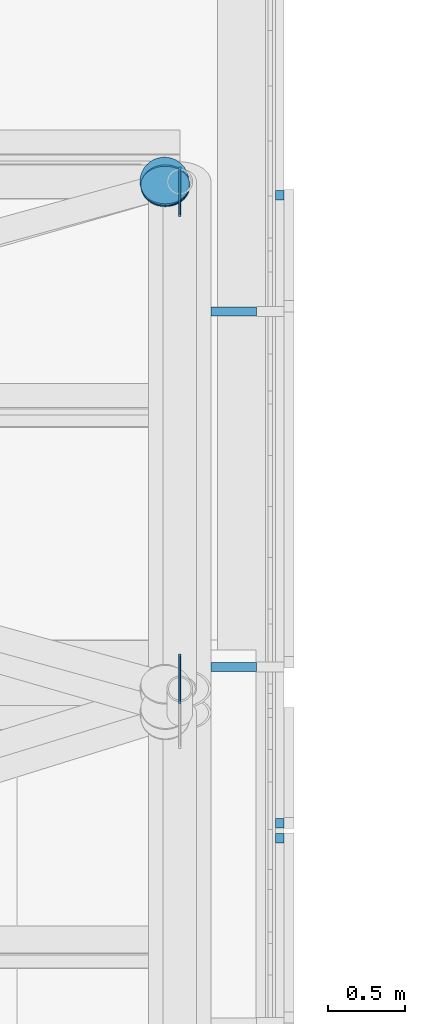
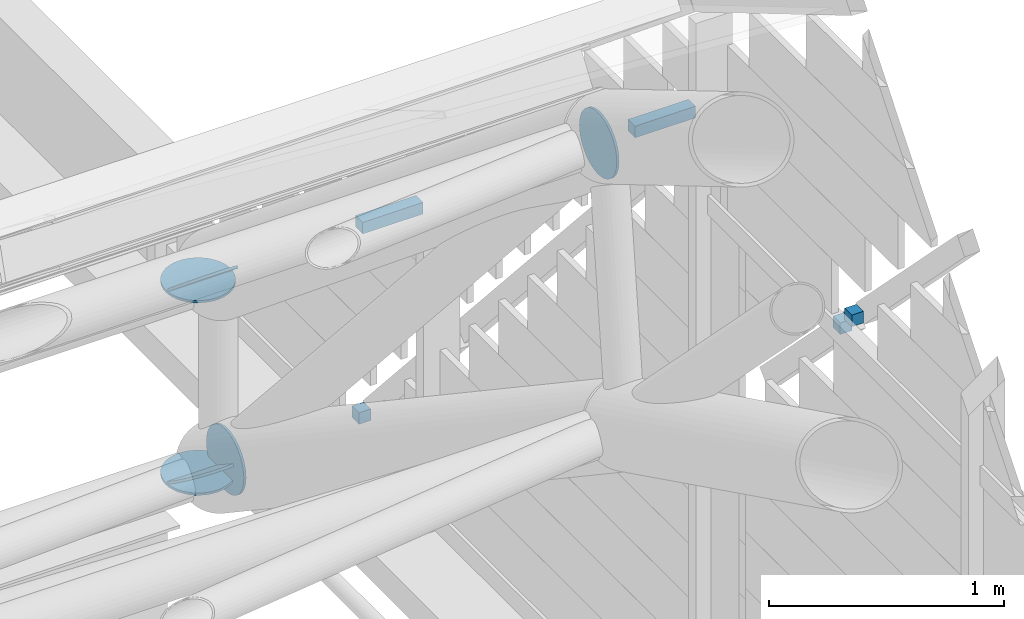
# One storey, part 102 of 110: 11 discrete accessories, 1 element without a shape of its own.
"""IFC4 building model written with IfcOpenShell, lengths in metres."""

from ifc_helpers import new_model, si_unit, direction, frame, origin, origin_2d, place, context, subcontext, project, spatial, rectangle, circle, extrude, material, layer, layer_set, type_object, element, aggregate, save


model = new_model("IFC4")

# Units and contexts
model_context = context("Model", 3, precision=1e-05, world=origin(), true_north=direction((0.0, 1.0)))
body_context = subcontext(model_context, "Body", "Model", "MODEL_VIEW")
ifc_project = project(units=[si_unit("LENGTHUNIT", "METRE"), si_unit("AREAUNIT", "SQUARE_METRE"), si_unit("VOLUMEUNIT", "CUBIC_METRE"), si_unit("PLANEANGLEUNIT", "RADIAN"), si_unit("MASSUNIT", "GRAM", prefix="KILO")], contexts=[model_context])

# Site, building, storey
site_placement = place(None, origin())
site = spatial("IfcSite", under=ifc_project, at=site_placement, CompositionType="ELEMENT")
building_placement = place(site_placement, origin())
building = spatial("IfcBuilding", under=site, at=building_placement, Name="Windward Yard Aquatics Centre", CompositionType="ELEMENT")
storey_placement = place(building_placement, frame((0.0, 0.0, 22.60009765625)))
storey = spatial("IfcBuildingStorey", under=building, at=storey_placement, Name="L05", CompositionType="ELEMENT", Elevation=22.60009765625)

# Discrete accessories
ifc_material_1 = material(Name="Steel S355", Category="steel")
ifc_layer_1 = layer(ifc_material_1, 0.011962890625)
ifc_layer_set_1 = layer_set([ifc_layer_1], Name="Gusset plate 320 mm disc 12 mm")
discrete_accessory_type = type_object("IfcDiscreteAccessoryType", Name="Gusset plate 320 mm disc 12 mm", PredefinedType="USERDEFINED", material=ifc_layer_set_1)
for number, where, z_axis, x_axis, name in (
    (1, (143.993896484375, 77.158935546875, 3.64306640625), (1.0, 0.0, 0.0), (0.0, 1.0, 0.0), "Gusset plate"),
    (2, (143.993896484375, 80.33349609375, 0.07470703125), (1.0, 0.0, 0.0), (0.0, 1.0, 0.0), "Gusset plate"),
):
    element("IfcDiscreteAccessory", number, at=place(storey_placement, frame(where, z_axis=z_axis, x_axis=x_axis)), inside=storey, type_object=discrete_accessory_type, Name=name, ObjectType="GUSSET PLATE", PredefinedType="USERDEFINED", context=body_context, shape_type="SweptSolid", body=[
        extrude(circle(Radius=0.159912109375, at=origin_2d()), origin(), (0.0, 0.0, 1.0), 0.01220703125),
    ])
discrete_accessory_1_placement = place(storey_placement, frame((143.89990234375, 80.39990234375, 0.993896484375), z_axis=(0.0, 0.0, 1.0), x_axis=(1.0, 0.0, 0.0)))
element("IfcDiscreteAccessory", 3, at=discrete_accessory_1_placement, inside=storey, type_object=discrete_accessory_type, Name="Gusset plate", ObjectType="GUSSET PLATE", PredefinedType="USERDEFINED", context=body_context, shape_type="SweptSolid", body=[
    extrude(circle(Radius=0.159912109375, at=origin_2d()), origin(), (0.0, 0.0, 1.0), 0.011962890625),
])
discrete_accessory_2_placement = place(storey_placement, frame((143.90576171875, 80.3779296875, 1.02587890625), z_axis=(0.0, -0.644135745783, -0.764911198117), x_axis=(1.0, 0.0, 0.0)))
element("IfcDiscreteAccessory", 4, at=discrete_accessory_2_placement, inside=storey, type_object=discrete_accessory_type, Name="Gusset plate", ObjectType="GUSSET PLATE", PredefinedType="USERDEFINED", context=body_context, shape_type="SweptSolid", body=[
    extrude(circle(Radius=0.159912109375, at=origin_2d()), origin(), (0.0, 0.0, 1.0), 0.01220703125),
])
for number, where, z_axis, x_axis, name in (
    (5, (143.89990234375, 80.39990234375, -0.006103515625), (0.0, 0.0, 1.0), (1.0, 0.0, 0.0), "Gusset plate"),
    (6, (143.905517578125, 80.3759765625, 0.023193359375), (0.0, -0.549990569516, -0.83517086482), (1.0, 0.0, 0.0), "Gusset plate"),
):
    element("IfcDiscreteAccessory", number, at=place(storey_placement, frame(where, z_axis=z_axis, x_axis=x_axis)), inside=storey, type_object=discrete_accessory_type, Name=name, ObjectType="GUSSET PLATE", PredefinedType="USERDEFINED", context=body_context, shape_type="SweptSolid", body=[
        extrude(circle(Radius=0.159912109375, at=origin_2d()), origin(), (0.0, 0.0, 1.0), 0.011962890625),
    ])

# Curtain wall, discrete accessories
ifc_material_2 = material(Name="Glass and aluminium curtain wall", Category="aluminium")
ifc_layer_2 = layer(ifc_material_2, 0.179931640625)
ifc_layer_set_2 = layer_set([ifc_layer_2], Name="H gable glazing system double glazed 8+16+8")
curtain_wall_type = type_object("IfcCurtainWallType", Name="H gable glazing system double glazed 8+16+8", PredefinedType="NOTDEFINED", material=ifc_layer_set_2)
curtain_wall_placement = place(storey_placement, origin())
curtain_wall = element("IfcCurtainWall", 7, at=curtain_wall_placement, inside=storey, type_object=curtain_wall_type, Name="Gable glazing E", PredefinedType="NOTDEFINED")
discrete_accessory_3_placement = place(storey_placement, frame((144.62255859375, 76.117919921875, 3.14990234375), z_axis=(1.0, 0.0, 0.0), x_axis=(0.0, 1.0, 0.0)))
discrete_accessory_3 = element("IfcDiscreteAccessory", 8, at=discrete_accessory_3_placement, Name="Gable cover strip bracket 9.2", PredefinedType="BRACKET", context=body_context, shape_type="SweptSolid", body=[
    extrude(rectangle(XDim=0.06005859375, YDim=0.06005859375, at=origin_2d()), origin(), (0.0, 0.0, 1.0), 0.057373046875),
])
discrete_accessory_4_placement = place(storey_placement, frame((144.62255859375, 76.21630859375, 3.0498046875), z_axis=(1.0, 0.0, 0.0), x_axis=(0.0, 1.0, 0.0)))
discrete_accessory_4 = element("IfcDiscreteAccessory", 9, at=discrete_accessory_4_placement, Name="Gable cover strip bracket 9.3", PredefinedType="BRACKET", context=body_context, shape_type="SweptSolid", body=[
    extrude(rectangle(XDim=0.06005859375, YDim=0.06005859375, at=origin_2d()), origin(), (0.0, 0.0, 1.0), 0.057373046875),
])
discrete_accessory_5_placement = place(storey_placement, frame((144.62255859375, 80.31103515625, 0.099853515625), z_axis=(1.0, 0.0, 0.0), x_axis=(0.0, 1.0, 0.0)))
discrete_accessory_5 = element("IfcDiscreteAccessory", 10, at=discrete_accessory_5_placement, Name="Gable cover strip bracket 10.3", PredefinedType="BRACKET", context=body_context, shape_type="SweptSolid", body=[
    extrude(rectangle(XDim=0.06005859375, YDim=0.06005859375, at=origin_2d()), origin(), (0.0, 0.0, 1.0), 0.057373046875),
])
discrete_accessory_6_placement = place(storey_placement, frame((144.203125, 77.234619140625, 3.60107421875), z_axis=(1.0, 0.0, 0.0), x_axis=(0.0, 1.0, 0.0)))
discrete_accessory_6 = element("IfcDiscreteAccessory", 11, at=discrete_accessory_6_placement, Name="Gable glazing bracket 17", PredefinedType="BRACKET", context=body_context, shape_type="SweptSolid", body=[
    extrude(rectangle(XDim=0.06005859375, YDim=0.06005859375, at=origin_2d()), origin(), (0.0, 0.0, 1.0), 0.296875),
])
discrete_accessory_7_placement = place(storey_placement, frame((144.203125, 79.553955078125, 1.695068359375), z_axis=(1.0, 0.0, 0.0), x_axis=(0.0, 1.0, 0.0)))
discrete_accessory_7 = element("IfcDiscreteAccessory", 12, at=discrete_accessory_7_placement, Name="Gable glazing bracket 18", PredefinedType="BRACKET", context=body_context, shape_type="SweptSolid", body=[
    extrude(rectangle(XDim=0.06005859375, YDim=0.06005859375, at=origin_2d()), origin(), (0.0, 0.0, 1.0), 0.296875),
])
aggregate(curtain_wall, [discrete_accessory_3, discrete_accessory_4, discrete_accessory_5, discrete_accessory_6, discrete_accessory_7])

save(model, "model.ifc")
